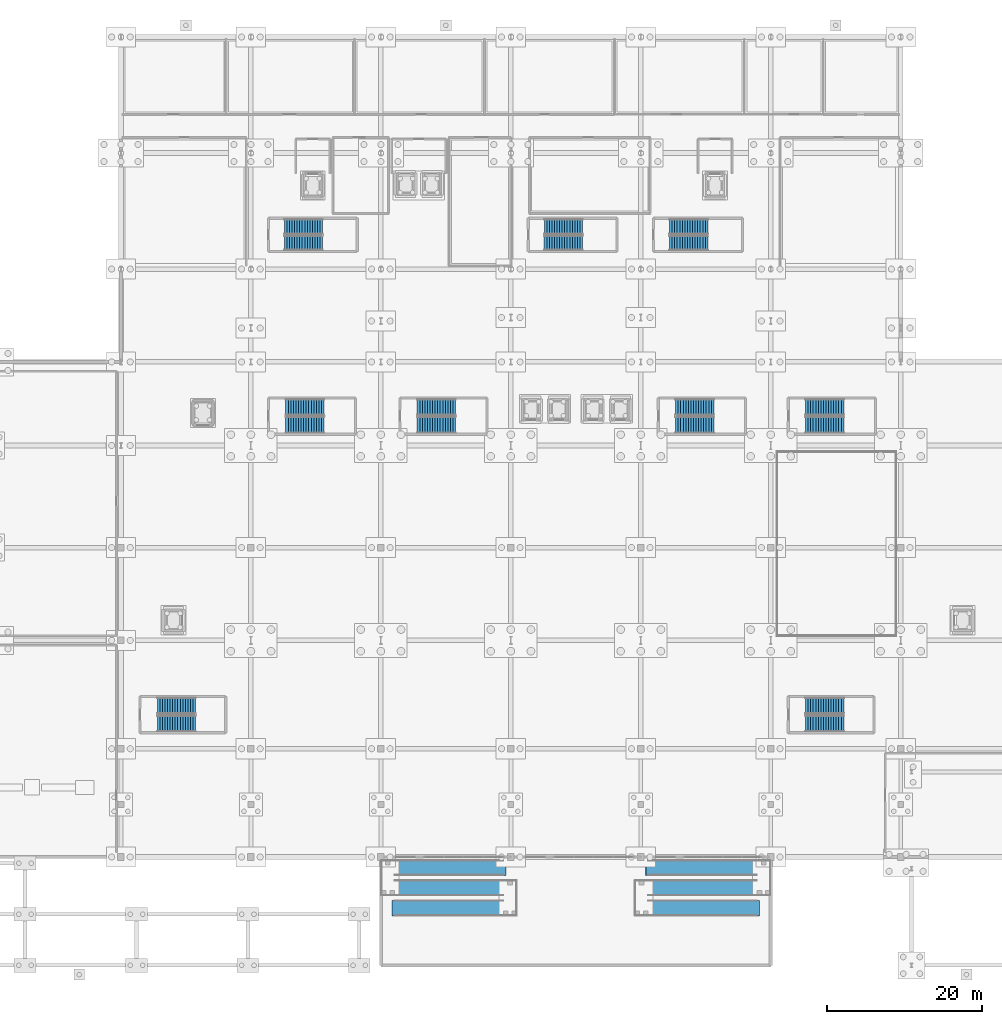
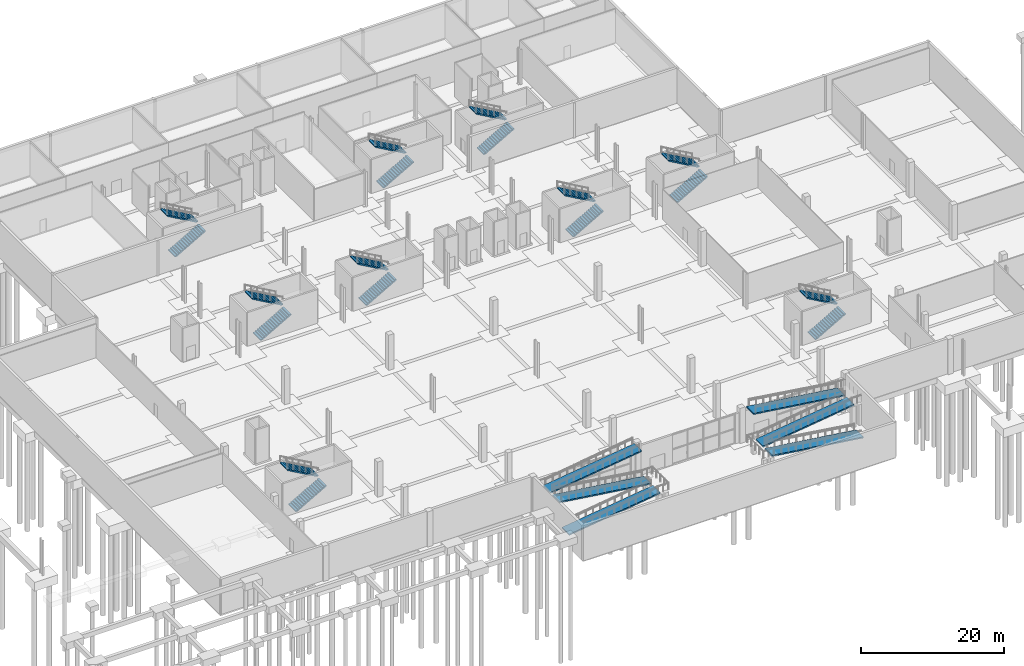
# One storey, part 34 of 46: 18 stair flights, 6 ramp flights, 15 elements without a shape of their own.
"""IFC4 building model written with IfcOpenShell, lengths in metres."""

from ifc_helpers import new_model, si_unit, direction, frame, origin, place, context, subcontext, project, spatial, polyline, outline, extrude, material, layer, layer_set, type_object, element, aggregate, save


model = new_model("IFC4")

# Units and contexts
model_context = context("Model", 3, precision=1e-05, world=origin(), true_north=direction((0.0, 1.0)))
body_context = subcontext(model_context, "Body", "Model", "MODEL_VIEW")
ifc_project = project(units=[si_unit("LENGTHUNIT", "METRE"), si_unit("AREAUNIT", "SQUARE_METRE"), si_unit("VOLUMEUNIT", "CUBIC_METRE"), si_unit("PLANEANGLEUNIT", "RADIAN"), si_unit("MASSUNIT", "GRAM", prefix="KILO")], contexts=[model_context])

# Site, building, storey
site_placement = place(None, origin())
site = spatial("IfcSite", under=ifc_project, at=site_placement, CompositionType="ELEMENT")
building_placement = place(site_placement, origin())
building = spatial("IfcBuilding", under=site, at=building_placement, Name="Kimbaza Rail Terminus", CompositionType="ELEMENT")
storey_placement = place(building_placement, frame((0.0, 0.0, -6.0)))
storey = spatial("IfcBuildingStorey", under=building, at=storey_placement, Name="B1", CompositionType="ELEMENT", Elevation=-6.0)

# Stair, stair flights
ifc_material_1 = material(Name="Concrete C40/50", Category="concrete")
stair_type_1 = type_object("IfcStairType", Name="ARC-STR-01", PredefinedType="HALF_TURN_STAIR", material=ifc_material_1)
stair_1_placement = place(storey_placement, origin())
stair_1 = element("IfcStair", 1, at=stair_1_placement, inside=storey, type_object=stair_type_1, Name="B1 Operations West Exit Stair", PredefinedType="HALF_TURN_STAIR")
ifc_material_2 = material(Name="Concrete C40/50", Category="concrete")
stair_flight_type_1 = type_object("IfcStairFlightType", Name="ARC-SFL-01", PredefinedType="STRAIGHT", material=ifc_material_2)
stair_flight_1_placement = place(storey_placement, frame((76.320068359375, 106.360107421875, 0.0), z_axis=(0.0, 0.0, 1.0), x_axis=(1.0, 0.0, 0.0)))
stair_flight_1 = element("IfcStairFlight", 2, at=stair_flight_1_placement, type_object=stair_flight_type_1, Name="ST-W1 flight 1", NumberOfRisers=16, NumberOfTreads=15, PredefinedType="STRAIGHT", RiserHeight=0.1875, TreadLength=0.33, context=body_context, shape_type="SweptSolid", body=[
    extrude(outline(polyline([(0.0, 0.0), (0.0, 0.1875), (0.330078125, 0.1875), (0.330078125, 0.375), (0.659912109375, 0.375), (0.659912109375, 0.5625), (0.989990234375, 0.5625), (0.989990234375, 0.75), (1.320068359375, 0.75), (1.320068359375, 0.9375), (1.64990234375, 0.9375), (1.64990234375, 1.125), (1.97998046875, 1.125), (1.97998046875, 1.3125), (2.31005859375, 1.3125), (2.31005859375, 1.5), (2.639892578125, 1.5), (2.639892578125, 1.6875), (2.969970703125, 1.6875), (2.969970703125, 1.875), (3.300048828125, 1.875), (3.300048828125, 2.0625), (3.6298828125, 2.0625), (3.6298828125, 2.25), (3.9599609375, 2.25), (3.9599609375, 2.4375), (4.2900390625, 2.4375), (4.2900390625, 2.625), (4.6201171875, 2.625), (4.6201171875, 2.8125), (4.949951171875, 2.8125), (4.949951171875, 3.0), (4.949951171875, 2.64013671875), (0.303466796875, 0.0), (0.0, 0.0)])), frame((0.0, 0.9599609375, 0.0), z_axis=(0.0, -1.0, 0.0), x_axis=(1.0, 0.0, 0.0)), (0.0, 0.0, 1.0), 1.919921875),
])
stair_flight_2_placement = place(storey_placement, frame((81.27001953125, 108.47998046875, 3.0), z_axis=(0.0, 0.0, 1.0), x_axis=(-1.0, 0.0, 0.0)))
stair_flight_2 = element("IfcStairFlight", 3, at=stair_flight_2_placement, type_object=stair_flight_type_1, Name="ST-W1 flight 2", NumberOfRisers=16, NumberOfTreads=15, PredefinedType="STRAIGHT", RiserHeight=0.1875, TreadLength=0.33, context=body_context, shape_type="SweptSolid", body=[
    extrude(outline(polyline([(0.0, 0.0), (0.0, 0.1875), (0.330078125, 0.1875), (0.330078125, 0.375), (0.659912109375, 0.375), (0.659912109375, 0.5625), (0.989990234375, 0.5625), (0.989990234375, 0.75), (1.320068359375, 0.75), (1.320068359375, 0.9375), (1.64990234375, 0.9375), (1.64990234375, 1.125), (1.97998046875, 1.125), (1.97998046875, 1.3125), (2.31005859375, 1.3125), (2.31005859375, 1.5), (2.639892578125, 1.5), (2.639892578125, 1.6875), (2.969970703125, 1.6875), (2.969970703125, 1.875), (3.300048828125, 1.875), (3.300048828125, 2.0625), (3.6298828125, 2.0625), (3.6298828125, 2.25), (3.9599609375, 2.25), (3.9599609375, 2.4375), (4.2900390625, 2.4375), (4.2900390625, 2.625), (4.6201171875, 2.625), (4.6201171875, 2.8125), (4.949951171875, 2.8125), (4.949951171875, 3.0), (4.949951171875, 2.64013671875), (0.303466796875, 0.0), (0.0, 0.0)])), frame((0.0, 0.9599609375, 0.0), z_axis=(0.0, -1.0, 0.0), x_axis=(1.0, 0.0, 0.0)), (0.0, 0.0, 1.0), 1.919921875),
])
aggregate(stair_1, [stair_flight_1, stair_flight_2])

stair_2_placement = place(storey_placement, origin())
stair_2 = element("IfcStair", 4, at=stair_2_placement, inside=storey, type_object=stair_type_1, Name="B1 Operations Central Exit Stair", PredefinedType="HALF_TURN_STAIR")
stair_flight_3_placement = place(storey_placement, frame((109.919921875, 106.360107421875, 0.0), z_axis=(0.0, 0.0, 1.0), x_axis=(1.0, 0.0, 0.0)))
stair_flight_3 = element("IfcStairFlight", 5, at=stair_flight_3_placement, type_object=stair_flight_type_1, Name="ST-M1 flight 1", NumberOfRisers=16, NumberOfTreads=15, PredefinedType="STRAIGHT", RiserHeight=0.1875, TreadLength=0.33, context=body_context, shape_type="SweptSolid", body=[
    extrude(outline(polyline([(0.0, 0.0), (0.0, 0.1875), (0.330078125, 0.1875), (0.330078125, 0.375), (0.659912109375, 0.375), (0.659912109375, 0.5625), (0.989990234375, 0.5625), (0.989990234375, 0.75), (1.320068359375, 0.75), (1.320068359375, 0.9375), (1.64990234375, 0.9375), (1.64990234375, 1.125), (1.97998046875, 1.125), (1.97998046875, 1.3125), (2.31005859375, 1.3125), (2.31005859375, 1.5), (2.639892578125, 1.5), (2.639892578125, 1.6875), (2.969970703125, 1.6875), (2.969970703125, 1.875), (3.300048828125, 1.875), (3.300048828125, 2.0625), (3.6298828125, 2.0625), (3.6298828125, 2.25), (3.9599609375, 2.25), (3.9599609375, 2.4375), (4.2900390625, 2.4375), (4.2900390625, 2.625), (4.6201171875, 2.625), (4.6201171875, 2.8125), (4.949951171875, 2.8125), (4.949951171875, 3.0), (4.949951171875, 2.64013671875), (0.303466796875, 0.0), (0.0, 0.0)])), frame((0.0, 0.9599609375, 0.0), z_axis=(0.0, -1.0, 0.0), x_axis=(1.0, 0.0, 0.0)), (0.0, 0.0, 1.0), 1.919921875),
])
stair_flight_4_placement = place(storey_placement, frame((114.8701171875, 108.47998046875, 3.0), z_axis=(0.0, 0.0, 1.0), x_axis=(-1.0, 0.0, 0.0)))
stair_flight_4 = element("IfcStairFlight", 6, at=stair_flight_4_placement, type_object=stair_flight_type_1, Name="ST-M1 flight 2", NumberOfRisers=16, NumberOfTreads=15, PredefinedType="STRAIGHT", RiserHeight=0.1875, TreadLength=0.33, context=body_context, shape_type="SweptSolid", body=[
    extrude(outline(polyline([(0.0, 0.0), (0.0, 0.1875), (0.330078125, 0.1875), (0.330078125, 0.375), (0.659912109375, 0.375), (0.659912109375, 0.5625), (0.989990234375, 0.5625), (0.989990234375, 0.75), (1.320068359375, 0.75), (1.320068359375, 0.9375), (1.64990234375, 0.9375), (1.64990234375, 1.125), (1.97998046875, 1.125), (1.97998046875, 1.3125), (2.31005859375, 1.3125), (2.31005859375, 1.5), (2.639892578125, 1.5), (2.639892578125, 1.6875), (2.969970703125, 1.6875), (2.969970703125, 1.875), (3.300048828125, 1.875), (3.300048828125, 2.0625), (3.6298828125, 2.0625), (3.6298828125, 2.25), (3.9599609375, 2.25), (3.9599609375, 2.4375), (4.2900390625, 2.4375), (4.2900390625, 2.625), (4.6201171875, 2.625), (4.6201171875, 2.8125), (4.949951171875, 2.8125), (4.949951171875, 3.0), (4.949951171875, 2.64013671875), (0.303466796875, 0.0), (0.0, 0.0)])), frame((0.0, 0.9599609375, 0.0), z_axis=(0.0, -1.0, 0.0), x_axis=(1.0, 0.0, 0.0)), (0.0, 0.0, 1.0), 1.919921875),
])
aggregate(stair_2, [stair_flight_3, stair_flight_4])

stair_3_placement = place(storey_placement, origin())
stair_3 = element("IfcStair", 7, at=stair_3_placement, inside=storey, type_object=stair_type_1, Name="B1 Operations East Exit Stair", PredefinedType="HALF_TURN_STAIR")
stair_flight_5_placement = place(storey_placement, frame((126.1201171875, 106.360107421875, 0.0), z_axis=(0.0, 0.0, 1.0), x_axis=(1.0, 0.0, 0.0)))
stair_flight_5 = element("IfcStairFlight", 8, at=stair_flight_5_placement, type_object=stair_flight_type_1, Name="ST-E1 flight 1", NumberOfRisers=16, NumberOfTreads=15, PredefinedType="STRAIGHT", RiserHeight=0.1875, TreadLength=0.33, context=body_context, shape_type="SweptSolid", body=[
    extrude(outline(polyline([(0.0, 0.0), (0.0, 0.1875), (0.330078125, 0.1875), (0.330078125, 0.375), (0.659912109375, 0.375), (0.659912109375, 0.5625), (0.989990234375, 0.5625), (0.989990234375, 0.75), (1.320068359375, 0.75), (1.320068359375, 0.9375), (1.64990234375, 0.9375), (1.64990234375, 1.125), (1.97998046875, 1.125), (1.97998046875, 1.3125), (2.31005859375, 1.3125), (2.31005859375, 1.5), (2.639892578125, 1.5), (2.639892578125, 1.6875), (2.969970703125, 1.6875), (2.969970703125, 1.875), (3.300048828125, 1.875), (3.300048828125, 2.0625), (3.6298828125, 2.0625), (3.6298828125, 2.25), (3.9599609375, 2.25), (3.9599609375, 2.4375), (4.2900390625, 2.4375), (4.2900390625, 2.625), (4.6201171875, 2.625), (4.6201171875, 2.8125), (4.949951171875, 2.8125), (4.949951171875, 3.0), (4.949951171875, 2.64013671875), (0.303466796875, 0.0), (0.0, 0.0)])), frame((0.0, 0.9599609375, 0.0), z_axis=(0.0, -1.0, 0.0), x_axis=(1.0, 0.0, 0.0)), (0.0, 0.0, 1.0), 1.919921875),
])
stair_flight_6_placement = place(storey_placement, frame((131.070068359375, 108.47998046875, 3.0), z_axis=(0.0, 0.0, 1.0), x_axis=(-1.0, 0.0, 0.0)))
stair_flight_6 = element("IfcStairFlight", 9, at=stair_flight_6_placement, type_object=stair_flight_type_1, Name="ST-E1 flight 2", NumberOfRisers=16, NumberOfTreads=15, PredefinedType="STRAIGHT", RiserHeight=0.1875, TreadLength=0.33, context=body_context, shape_type="SweptSolid", body=[
    extrude(outline(polyline([(0.0, 0.0), (0.0, 0.1875), (0.330078125, 0.1875), (0.330078125, 0.375), (0.659912109375, 0.375), (0.659912109375, 0.5625), (0.989990234375, 0.5625), (0.989990234375, 0.75), (1.320068359375, 0.75), (1.320068359375, 0.9375), (1.64990234375, 0.9375), (1.64990234375, 1.125), (1.97998046875, 1.125), (1.97998046875, 1.3125), (2.31005859375, 1.3125), (2.31005859375, 1.5), (2.639892578125, 1.5), (2.639892578125, 1.6875), (2.969970703125, 1.6875), (2.969970703125, 1.875), (3.300048828125, 1.875), (3.300048828125, 2.0625), (3.6298828125, 2.0625), (3.6298828125, 2.25), (3.9599609375, 2.25), (3.9599609375, 2.4375), (4.2900390625, 2.4375), (4.2900390625, 2.625), (4.6201171875, 2.625), (4.6201171875, 2.8125), (4.949951171875, 2.8125), (4.949951171875, 3.0), (4.949951171875, 2.64013671875), (0.303466796875, 0.0), (0.0, 0.0)])), frame((0.0, 0.9599609375, 0.0), z_axis=(0.0, -1.0, 0.0), x_axis=(1.0, 0.0, 0.0)), (0.0, 0.0, 1.0), 1.919921875),
])
aggregate(stair_3, [stair_flight_5, stair_flight_6])

ifc_material_3 = material(Name="Concrete C40/50", Category="concrete")
stair_type_2 = type_object("IfcStairType", Name="ARC-STR-05", PredefinedType="HALF_TURN_STAIR", material=ifc_material_3)
stair_4_placement = place(storey_placement, origin())
stair_4 = element("IfcStair", 10, at=stair_4_placement, inside=storey, type_object=stair_type_2, Name="B1 Platform West Concourse Stair", PredefinedType="HALF_TURN_STAIR")
ifc_material_4 = material(Name="Concrete C40/50", Category="concrete")
stair_flight_type_2 = type_object("IfcStairFlightType", Name="ARC-SFL-05", PredefinedType="STRAIGHT", material=ifc_material_4)
stair_flight_7_placement = place(storey_placement, frame((76.5, 82.85009765625, 0.0), z_axis=(0.0, 0.0, 1.0), x_axis=(1.0, 0.0, 0.0)))
stair_flight_7 = element("IfcStairFlight", 11, at=stair_flight_7_placement, type_object=stair_flight_type_2, Name="ST-C1 flight 1", NumberOfRisers=16, NumberOfTreads=15, PredefinedType="STRAIGHT", RiserHeight=0.1875, TreadLength=0.33, context=body_context, shape_type="SweptSolid", body=[
    extrude(outline(polyline([(0.0, 0.0), (0.0, 0.1875), (0.330078125, 0.1875), (0.330078125, 0.375), (0.659912109375, 0.375), (0.659912109375, 0.5625), (0.989990234375, 0.5625), (0.989990234375, 0.75), (1.320068359375, 0.75), (1.320068359375, 0.9375), (1.64990234375, 0.9375), (1.64990234375, 1.125), (1.97998046875, 1.125), (1.97998046875, 1.3125), (2.31005859375, 1.3125), (2.31005859375, 1.5), (2.639892578125, 1.5), (2.639892578125, 1.6875), (2.969970703125, 1.6875), (2.969970703125, 1.875), (3.300048828125, 1.875), (3.300048828125, 2.0625), (3.6298828125, 2.0625), (3.6298828125, 2.25), (3.9599609375, 2.25), (3.9599609375, 2.4375), (4.2900390625, 2.4375), (4.2900390625, 2.625), (4.6201171875, 2.625), (4.6201171875, 2.8125), (4.949951171875, 2.8125), (4.949951171875, 3.0), (4.949951171875, 2.64013671875), (0.303466796875, 0.0), (0.0, 0.0)])), frame((0.0, 1.050048828125, 0.0), z_axis=(0.0, -1.0, 0.0), x_axis=(1.0, 0.0, 0.0)), (0.0, 0.0, 1.0), 2.10009765625),
])
stair_flight_8_placement = place(storey_placement, frame((81.449951171875, 85.14990234375, 3.0), z_axis=(0.0, 0.0, 1.0), x_axis=(-1.0, 0.0, 0.0)))
stair_flight_8 = element("IfcStairFlight", 12, at=stair_flight_8_placement, type_object=stair_flight_type_2, Name="ST-C1 flight 2", NumberOfRisers=16, NumberOfTreads=15, PredefinedType="STRAIGHT", RiserHeight=0.1875, TreadLength=0.33, context=body_context, shape_type="SweptSolid", body=[
    extrude(outline(polyline([(0.0, 0.0), (0.0, 0.1875), (0.330078125, 0.1875), (0.330078125, 0.375), (0.659912109375, 0.375), (0.659912109375, 0.5625), (0.989990234375, 0.5625), (0.989990234375, 0.75), (1.320068359375, 0.75), (1.320068359375, 0.9375), (1.64990234375, 0.9375), (1.64990234375, 1.125), (1.97998046875, 1.125), (1.97998046875, 1.3125), (2.31005859375, 1.3125), (2.31005859375, 1.5), (2.639892578125, 1.5), (2.639892578125, 1.6875), (2.969970703125, 1.6875), (2.969970703125, 1.875), (3.300048828125, 1.875), (3.300048828125, 2.0625), (3.6298828125, 2.0625), (3.6298828125, 2.25), (3.9599609375, 2.25), (3.9599609375, 2.4375), (4.2900390625, 2.4375), (4.2900390625, 2.625), (4.6201171875, 2.625), (4.6201171875, 2.8125), (4.949951171875, 2.8125), (4.949951171875, 3.0), (4.949951171875, 2.64013671875), (0.303466796875, 0.0), (0.0, 0.0)])), frame((0.0, 1.050048828125, 0.0), z_axis=(0.0, -1.0, 0.0), x_axis=(1.0, 0.0, 0.0)), (0.0, 0.0, 1.0), 2.10009765625),
])
aggregate(stair_4, [stair_flight_7, stair_flight_8])

stair_5_placement = place(storey_placement, origin())
stair_5 = element("IfcStair", 13, at=stair_5_placement, inside=storey, type_object=stair_type_2, Name="B1 Platform East Concourse Stair", PredefinedType="HALF_TURN_STAIR")
stair_flight_9_placement = place(storey_placement, frame((143.699951171875, 82.85009765625, 0.0), z_axis=(0.0, 0.0, 1.0), x_axis=(1.0, 0.0, 0.0)))
stair_flight_9 = element("IfcStairFlight", 14, at=stair_flight_9_placement, type_object=stair_flight_type_2, Name="ST-C2 flight 1", NumberOfRisers=16, NumberOfTreads=15, PredefinedType="STRAIGHT", RiserHeight=0.1875, TreadLength=0.33, context=body_context, shape_type="SweptSolid", body=[
    extrude(outline(polyline([(0.0, 0.0), (0.0, 0.1875), (0.330078125, 0.1875), (0.330078125, 0.375), (0.659912109375, 0.375), (0.659912109375, 0.5625), (0.989990234375, 0.5625), (0.989990234375, 0.75), (1.320068359375, 0.75), (1.320068359375, 0.9375), (1.64990234375, 0.9375), (1.64990234375, 1.125), (1.97998046875, 1.125), (1.97998046875, 1.3125), (2.31005859375, 1.3125), (2.31005859375, 1.5), (2.639892578125, 1.5), (2.639892578125, 1.6875), (2.969970703125, 1.6875), (2.969970703125, 1.875), (3.300048828125, 1.875), (3.300048828125, 2.0625), (3.6298828125, 2.0625), (3.6298828125, 2.25), (3.9599609375, 2.25), (3.9599609375, 2.4375), (4.2900390625, 2.4375), (4.2900390625, 2.625), (4.6201171875, 2.625), (4.6201171875, 2.8125), (4.949951171875, 2.8125), (4.949951171875, 3.0), (4.949951171875, 2.64013671875), (0.303466796875, 0.0), (0.0, 0.0)])), frame((0.0, 1.050048828125, 0.0), z_axis=(0.0, -1.0, 0.0), x_axis=(1.0, 0.0, 0.0)), (0.0, 0.0, 1.0), 2.10009765625),
])
stair_flight_10_placement = place(storey_placement, frame((148.64990234375, 85.14990234375, 3.0), z_axis=(0.0, 0.0, 1.0), x_axis=(-1.0, 0.0, 0.0)))
stair_flight_10 = element("IfcStairFlight", 15, at=stair_flight_10_placement, type_object=stair_flight_type_2, Name="ST-C2 flight 2", NumberOfRisers=16, NumberOfTreads=15, PredefinedType="STRAIGHT", RiserHeight=0.1875, TreadLength=0.33, context=body_context, shape_type="SweptSolid", body=[
    extrude(outline(polyline([(0.0, 0.0), (0.0, 0.1875), (0.330078125, 0.1875), (0.330078125, 0.375), (0.659912109375, 0.375), (0.659912109375, 0.5625), (0.989990234375, 0.5625), (0.989990234375, 0.75), (1.320068359375, 0.75), (1.320068359375, 0.9375), (1.64990234375, 0.9375), (1.64990234375, 1.125), (1.97998046875, 1.125), (1.97998046875, 1.3125), (2.31005859375, 1.3125), (2.31005859375, 1.5), (2.639892578125, 1.5), (2.639892578125, 1.6875), (2.969970703125, 1.6875), (2.969970703125, 1.875), (3.300048828125, 1.875), (3.300048828125, 2.0625), (3.6298828125, 2.0625), (3.6298828125, 2.25), (3.9599609375, 2.25), (3.9599609375, 2.4375), (4.2900390625, 2.4375), (4.2900390625, 2.625), (4.6201171875, 2.625), (4.6201171875, 2.8125), (4.949951171875, 2.8125), (4.949951171875, 3.0), (4.949951171875, 2.64013671875), (0.303466796875, 0.0), (0.0, 0.0)])), frame((0.0, 1.050048828125, 0.0), z_axis=(0.0, -1.0, 0.0), x_axis=(1.0, 0.0, 0.0)), (0.0, 0.0, 1.0), 2.10009765625),
])
aggregate(stair_5, [stair_flight_9, stair_flight_10])

stair_6_placement = place(storey_placement, origin())
stair_6 = element("IfcStair", 16, at=stair_6_placement, inside=storey, type_object=stair_type_2, Name="B1 Footbridge West Platform Stair", PredefinedType="HALF_TURN_STAIR")
stair_flight_11_placement = place(storey_placement, frame((93.5, 82.85009765625, 0.0), z_axis=(0.0, 0.0, 1.0), x_axis=(1.0, 0.0, 0.0)))
stair_flight_11 = element("IfcStairFlight", 17, at=stair_flight_11_placement, type_object=stair_flight_type_2, Name="ST-C3 flight 1", NumberOfRisers=16, NumberOfTreads=15, PredefinedType="STRAIGHT", RiserHeight=0.1875, TreadLength=0.33, context=body_context, shape_type="SweptSolid", body=[
    extrude(outline(polyline([(0.0, 0.0), (0.0, 0.1875), (0.330078125, 0.1875), (0.330078125, 0.375), (0.659912109375, 0.375), (0.659912109375, 0.5625), (0.989990234375, 0.5625), (0.989990234375, 0.75), (1.320068359375, 0.75), (1.320068359375, 0.9375), (1.64990234375, 0.9375), (1.64990234375, 1.125), (1.97998046875, 1.125), (1.97998046875, 1.3125), (2.31005859375, 1.3125), (2.31005859375, 1.5), (2.639892578125, 1.5), (2.639892578125, 1.6875), (2.969970703125, 1.6875), (2.969970703125, 1.875), (3.300048828125, 1.875), (3.300048828125, 2.0625), (3.6298828125, 2.0625), (3.6298828125, 2.25), (3.9599609375, 2.25), (3.9599609375, 2.4375), (4.2900390625, 2.4375), (4.2900390625, 2.625), (4.6201171875, 2.625), (4.6201171875, 2.8125), (4.949951171875, 2.8125), (4.949951171875, 3.0), (4.949951171875, 2.64013671875), (0.303466796875, 0.0), (0.0, 0.0)])), frame((0.0, 1.050048828125, 0.0), z_axis=(0.0, -1.0, 0.0), x_axis=(1.0, 0.0, 0.0)), (0.0, 0.0, 1.0), 2.10009765625),
])
stair_flight_12_placement = place(storey_placement, frame((98.449951171875, 85.14990234375, 3.0), z_axis=(0.0, 0.0, 1.0), x_axis=(-1.0, 0.0, 0.0)))
stair_flight_12 = element("IfcStairFlight", 18, at=stair_flight_12_placement, type_object=stair_flight_type_2, Name="ST-C3 flight 2", NumberOfRisers=16, NumberOfTreads=15, PredefinedType="STRAIGHT", RiserHeight=0.1875, TreadLength=0.33, context=body_context, shape_type="SweptSolid", body=[
    extrude(outline(polyline([(0.0, 0.0), (0.0, 0.1875), (0.330078125, 0.1875), (0.330078125, 0.375), (0.659912109375, 0.375), (0.659912109375, 0.5625), (0.989990234375, 0.5625), (0.989990234375, 0.75), (1.320068359375, 0.75), (1.320068359375, 0.9375), (1.64990234375, 0.9375), (1.64990234375, 1.125), (1.97998046875, 1.125), (1.97998046875, 1.3125), (2.31005859375, 1.3125), (2.31005859375, 1.5), (2.639892578125, 1.5), (2.639892578125, 1.6875), (2.969970703125, 1.6875), (2.969970703125, 1.875), (3.300048828125, 1.875), (3.300048828125, 2.0625), (3.6298828125, 2.0625), (3.6298828125, 2.25), (3.9599609375, 2.25), (3.9599609375, 2.4375), (4.2900390625, 2.4375), (4.2900390625, 2.625), (4.6201171875, 2.625), (4.6201171875, 2.8125), (4.949951171875, 2.8125), (4.949951171875, 3.0), (4.949951171875, 2.64013671875), (0.303466796875, 0.0), (0.0, 0.0)])), frame((0.0, 1.050048828125, 0.0), z_axis=(0.0, -1.0, 0.0), x_axis=(1.0, 0.0, 0.0)), (0.0, 0.0, 1.0), 2.10009765625),
])
aggregate(stair_6, [stair_flight_11, stair_flight_12])

stair_7_placement = place(storey_placement, origin())
stair_7 = element("IfcStair", 19, at=stair_7_placement, inside=storey, type_object=stair_type_2, Name="B1 Footbridge East Platform Stair", PredefinedType="HALF_TURN_STAIR")
stair_flight_13_placement = place(storey_placement, frame((126.89990234375, 82.85009765625, 0.0), z_axis=(0.0, 0.0, 1.0), x_axis=(1.0, 0.0, 0.0)))
stair_flight_13 = element("IfcStairFlight", 20, at=stair_flight_13_placement, type_object=stair_flight_type_2, Name="ST-C4 flight 1", NumberOfRisers=16, NumberOfTreads=15, PredefinedType="STRAIGHT", RiserHeight=0.1875, TreadLength=0.33, context=body_context, shape_type="SweptSolid", body=[
    extrude(outline(polyline([(0.0, 0.0), (0.0, 0.1875), (0.330078125, 0.1875), (0.330078125, 0.375), (0.659912109375, 0.375), (0.659912109375, 0.5625), (0.989990234375, 0.5625), (0.989990234375, 0.75), (1.320068359375, 0.75), (1.320068359375, 0.9375), (1.64990234375, 0.9375), (1.64990234375, 1.125), (1.97998046875, 1.125), (1.97998046875, 1.3125), (2.31005859375, 1.3125), (2.31005859375, 1.5), (2.639892578125, 1.5), (2.639892578125, 1.6875), (2.969970703125, 1.6875), (2.969970703125, 1.875), (3.300048828125, 1.875), (3.300048828125, 2.0625), (3.6298828125, 2.0625), (3.6298828125, 2.25), (3.9599609375, 2.25), (3.9599609375, 2.4375), (4.2900390625, 2.4375), (4.2900390625, 2.625), (4.6201171875, 2.625), (4.6201171875, 2.8125), (4.949951171875, 2.8125), (4.949951171875, 3.0), (4.949951171875, 2.64013671875), (0.303466796875, 0.0), (0.0, 0.0)])), frame((0.0, 1.050048828125, 0.0), z_axis=(0.0, -1.0, 0.0), x_axis=(1.0, 0.0, 0.0)), (0.0, 0.0, 1.0), 2.10009765625),
])
stair_flight_14_placement = place(storey_placement, frame((131.85009765625, 85.14990234375, 3.0), z_axis=(0.0, 0.0, 1.0), x_axis=(-1.0, 0.0, 0.0)))
stair_flight_14 = element("IfcStairFlight", 21, at=stair_flight_14_placement, type_object=stair_flight_type_2, Name="ST-C4 flight 2", NumberOfRisers=16, NumberOfTreads=15, PredefinedType="STRAIGHT", RiserHeight=0.1875, TreadLength=0.33, context=body_context, shape_type="SweptSolid", body=[
    extrude(outline(polyline([(0.0, 0.0), (0.0, 0.1875), (0.330078125, 0.1875), (0.330078125, 0.375), (0.659912109375, 0.375), (0.659912109375, 0.5625), (0.989990234375, 0.5625), (0.989990234375, 0.75), (1.320068359375, 0.75), (1.320068359375, 0.9375), (1.64990234375, 0.9375), (1.64990234375, 1.125), (1.97998046875, 1.125), (1.97998046875, 1.3125), (2.31005859375, 1.3125), (2.31005859375, 1.5), (2.639892578125, 1.5), (2.639892578125, 1.6875), (2.969970703125, 1.6875), (2.969970703125, 1.875), (3.300048828125, 1.875), (3.300048828125, 2.0625), (3.6298828125, 2.0625), (3.6298828125, 2.25), (3.9599609375, 2.25), (3.9599609375, 2.4375), (4.2900390625, 2.4375), (4.2900390625, 2.625), (4.6201171875, 2.625), (4.6201171875, 2.8125), (4.949951171875, 2.8125), (4.949951171875, 3.0), (4.949951171875, 2.64013671875), (0.303466796875, 0.0), (0.0, 0.0)])), frame((0.0, 1.050048828125, 0.0), z_axis=(0.0, -1.0, 0.0), x_axis=(1.0, 0.0, 0.0)), (0.0, 0.0, 1.0), 2.10009765625),
])
aggregate(stair_7, [stair_flight_13, stair_flight_14])

stair_8_placement = place(storey_placement, origin())
stair_8 = element("IfcStair", 22, at=stair_8_placement, inside=storey, type_object=stair_type_2, Name="B1 South Metro Concourse West Stair", PredefinedType="HALF_TURN_STAIR")
stair_flight_15_placement = place(storey_placement, frame((59.89990234375, 44.25, 0.0), z_axis=(0.0, 0.0, 1.0), x_axis=(1.0, 0.0, 0.0)))
stair_flight_15 = element("IfcStairFlight", 23, at=stair_flight_15_placement, type_object=stair_flight_type_2, Name="ST-S1 flight 1", NumberOfRisers=16, NumberOfTreads=15, PredefinedType="STRAIGHT", RiserHeight=0.1875, TreadLength=0.33, context=body_context, shape_type="SweptSolid", body=[
    extrude(outline(polyline([(0.0, 0.0), (0.0, 0.1875), (0.330078125, 0.1875), (0.330078125, 0.375), (0.659912109375, 0.375), (0.659912109375, 0.5625), (0.989990234375, 0.5625), (0.989990234375, 0.75), (1.320068359375, 0.75), (1.320068359375, 0.9375), (1.64990234375, 0.9375), (1.64990234375, 1.125), (1.97998046875, 1.125), (1.97998046875, 1.3125), (2.31005859375, 1.3125), (2.31005859375, 1.5), (2.639892578125, 1.5), (2.639892578125, 1.6875), (2.969970703125, 1.6875), (2.969970703125, 1.875), (3.300048828125, 1.875), (3.300048828125, 2.0625), (3.6298828125, 2.0625), (3.6298828125, 2.25), (3.9599609375, 2.25), (3.9599609375, 2.4375), (4.2900390625, 2.4375), (4.2900390625, 2.625), (4.6201171875, 2.625), (4.6201171875, 2.8125), (4.949951171875, 2.8125), (4.949951171875, 3.0), (4.949951171875, 2.64013671875), (0.303466796875, 0.0), (0.0, 0.0)])), frame((0.0, 1.050048828125, 0.0), z_axis=(0.0, -1.0, 0.0), x_axis=(1.0, 0.0, 0.0)), (0.0, 0.0, 1.0), 2.10009765625),
])
stair_flight_16_placement = place(storey_placement, frame((64.85009765625, 46.550048828125, 3.0), z_axis=(0.0, 0.0, 1.0), x_axis=(-1.0, 0.0, 0.0)))
stair_flight_16 = element("IfcStairFlight", 24, at=stair_flight_16_placement, type_object=stair_flight_type_2, Name="ST-S1 flight 2", NumberOfRisers=16, NumberOfTreads=15, PredefinedType="STRAIGHT", RiserHeight=0.1875, TreadLength=0.33, context=body_context, shape_type="SweptSolid", body=[
    extrude(outline(polyline([(0.0, 0.0), (0.0, 0.1875), (0.330078125, 0.1875), (0.330078125, 0.375), (0.659912109375, 0.375), (0.659912109375, 0.5625), (0.989990234375, 0.5625), (0.989990234375, 0.75), (1.320068359375, 0.75), (1.320068359375, 0.9375), (1.64990234375, 0.9375), (1.64990234375, 1.125), (1.97998046875, 1.125), (1.97998046875, 1.3125), (2.31005859375, 1.3125), (2.31005859375, 1.5), (2.639892578125, 1.5), (2.639892578125, 1.6875), (2.969970703125, 1.6875), (2.969970703125, 1.875), (3.300048828125, 1.875), (3.300048828125, 2.0625), (3.6298828125, 2.0625), (3.6298828125, 2.25), (3.9599609375, 2.25), (3.9599609375, 2.4375), (4.2900390625, 2.4375), (4.2900390625, 2.625), (4.6201171875, 2.625), (4.6201171875, 2.8125), (4.949951171875, 2.8125), (4.949951171875, 3.0), (4.949951171875, 2.64013671875), (0.303466796875, 0.0), (0.0, 0.0)])), frame((0.0, 1.050048828125, 0.0), z_axis=(0.0, -1.0, 0.0), x_axis=(1.0, 0.0, 0.0)), (0.0, 0.0, 1.0), 2.10009765625),
])
aggregate(stair_8, [stair_flight_15, stair_flight_16])

stair_9_placement = place(storey_placement, origin())
stair_9 = element("IfcStair", 25, at=stair_9_placement, inside=storey, type_object=stair_type_2, Name="B1 South Metro Concourse East Stair", PredefinedType="HALF_TURN_STAIR")
stair_flight_17_placement = place(storey_placement, frame((143.699951171875, 44.25, 0.0), z_axis=(0.0, 0.0, 1.0), x_axis=(1.0, 0.0, 0.0)))
stair_flight_17 = element("IfcStairFlight", 26, at=stair_flight_17_placement, type_object=stair_flight_type_2, Name="ST-S2 flight 1", NumberOfRisers=16, NumberOfTreads=15, PredefinedType="STRAIGHT", RiserHeight=0.1875, TreadLength=0.33, context=body_context, shape_type="SweptSolid", body=[
    extrude(outline(polyline([(0.0, 0.0), (0.0, 0.1875), (0.330078125, 0.1875), (0.330078125, 0.375), (0.659912109375, 0.375), (0.659912109375, 0.5625), (0.989990234375, 0.5625), (0.989990234375, 0.75), (1.320068359375, 0.75), (1.320068359375, 0.9375), (1.64990234375, 0.9375), (1.64990234375, 1.125), (1.97998046875, 1.125), (1.97998046875, 1.3125), (2.31005859375, 1.3125), (2.31005859375, 1.5), (2.639892578125, 1.5), (2.639892578125, 1.6875), (2.969970703125, 1.6875), (2.969970703125, 1.875), (3.300048828125, 1.875), (3.300048828125, 2.0625), (3.6298828125, 2.0625), (3.6298828125, 2.25), (3.9599609375, 2.25), (3.9599609375, 2.4375), (4.2900390625, 2.4375), (4.2900390625, 2.625), (4.6201171875, 2.625), (4.6201171875, 2.8125), (4.949951171875, 2.8125), (4.949951171875, 3.0), (4.949951171875, 2.64013671875), (0.303466796875, 0.0), (0.0, 0.0)])), frame((0.0, 1.050048828125, 0.0), z_axis=(0.0, -1.0, 0.0), x_axis=(1.0, 0.0, 0.0)), (0.0, 0.0, 1.0), 2.10009765625),
])
stair_flight_18_placement = place(storey_placement, frame((148.64990234375, 46.550048828125, 3.0), z_axis=(0.0, 0.0, 1.0), x_axis=(-1.0, 0.0, 0.0)))
stair_flight_18 = element("IfcStairFlight", 27, at=stair_flight_18_placement, type_object=stair_flight_type_2, Name="ST-S2 flight 2", NumberOfRisers=16, NumberOfTreads=15, PredefinedType="STRAIGHT", RiserHeight=0.1875, TreadLength=0.33, context=body_context, shape_type="SweptSolid", body=[
    extrude(outline(polyline([(0.0, 0.0), (0.0, 0.1875), (0.330078125, 0.1875), (0.330078125, 0.375), (0.659912109375, 0.375), (0.659912109375, 0.5625), (0.989990234375, 0.5625), (0.989990234375, 0.75), (1.320068359375, 0.75), (1.320068359375, 0.9375), (1.64990234375, 0.9375), (1.64990234375, 1.125), (1.97998046875, 1.125), (1.97998046875, 1.3125), (2.31005859375, 1.3125), (2.31005859375, 1.5), (2.639892578125, 1.5), (2.639892578125, 1.6875), (2.969970703125, 1.6875), (2.969970703125, 1.875), (3.300048828125, 1.875), (3.300048828125, 2.0625), (3.6298828125, 2.0625), (3.6298828125, 2.25), (3.9599609375, 2.25), (3.9599609375, 2.4375), (4.2900390625, 2.4375), (4.2900390625, 2.625), (4.6201171875, 2.625), (4.6201171875, 2.8125), (4.949951171875, 2.8125), (4.949951171875, 3.0), (4.949951171875, 2.64013671875), (0.303466796875, 0.0), (0.0, 0.0)])), frame((0.0, 1.050048828125, 0.0), z_axis=(0.0, -1.0, 0.0), x_axis=(1.0, 0.0, 0.0)), (0.0, 0.0, 1.0), 2.10009765625),
])
aggregate(stair_9, [stair_flight_17, stair_flight_18])

# Ramp, ramp flight
ifc_material_5 = material(Name="Concrete C40/50", Category="concrete")
ramp_type = type_object("IfcRampType", Name="ARC-RMP-ACC", PredefinedType="STRAIGHT_RUN_RAMP", material=ifc_material_5)
ramp_1_placement = place(storey_placement, origin())
ramp_1 = element("IfcRamp", 28, at=ramp_1_placement, inside=storey, type_object=ramp_type, Name="Metro Plaza West Upper Ramp", PredefinedType="STRAIGHT_RUN_RAMP")
ifc_material_6 = material(Name="Concrete C40/50", Category="concrete")
ifc_layer = layer(ifc_material_6, 0.219970703125)
ifc_layer_set = layer_set([ifc_layer], Name="Concrete C40/50")
ramp_flight_type = type_object("IfcRampFlightType", Name="ARC-RMF-200", PredefinedType="STRAIGHT", material=ifc_layer_set)
ramp_flight_1_placement = place(storey_placement, frame((90.25, 24.60009765625, 4.0), z_axis=(-0.13481283971, 0.0, 0.990871080539), x_axis=(0.990871080539, 0.0, 0.13481283971)))
ramp_flight_1 = element("IfcRampFlight", 29, at=ramp_flight_1_placement, type_object=ramp_flight_type, Name="Metro Plaza West Upper Ramp Flight", PredefinedType="STRAIGHT", context=body_context, shape_type="SweptSolid", body=[
    extrude(outline(polyline([(0.0, 0.0), (14.835382180972259, 0.0), (14.835382180972259, 2.0), (0.0, 2.0), (0.0, 0.0)])), origin(), (0.0, 0.0, -1.0), 0.219970703125),
])
aggregate(ramp_1, [ramp_flight_1])

ramp_2_placement = place(storey_placement, origin())
ramp_2 = element("IfcRamp", 30, at=ramp_2_placement, inside=storey, type_object=ramp_type, Name="Metro Plaza West Mid Ramp", PredefinedType="STRAIGHT_RUN_RAMP")
ramp_flight_2_placement = place(storey_placement, frame((90.25, 22.0, 4.0), z_axis=(0.13481283971, 0.0, 0.990871080539), x_axis=(0.990871080539, 0.0, -0.13481283971)))
ramp_flight_2 = element("IfcRampFlight", 31, at=ramp_flight_2_placement, type_object=ramp_flight_type, Name="Metro Plaza West Mid Ramp Flight", PredefinedType="STRAIGHT", context=body_context, shape_type="SweptSolid", body=[
    extrude(outline(polyline([(0.0, 0.0), (14.835382180972259, 0.0), (14.835382180972259, 2.0), (0.0, 2.0), (0.0, 0.0)])), origin(), (0.0, 0.0, -1.0), 0.219970703125),
])
aggregate(ramp_2, [ramp_flight_2])

ramp_3_placement = place(storey_placement, origin())
ramp_3 = element("IfcRamp", 32, at=ramp_3_placement, inside=storey, type_object=ramp_type, Name="Metro Plaza West Lower Ramp", PredefinedType="STRAIGHT_RUN_RAMP")
ramp_flight_3_placement = place(storey_placement, frame((90.25, 19.39990234375, 0.0), z_axis=(-0.13481283971, 0.0, 0.990871080539), x_axis=(0.990871080539, 0.0, 0.13481283971)))
ramp_flight_3 = element("IfcRampFlight", 33, at=ramp_flight_3_placement, type_object=ramp_flight_type, Name="Metro Plaza West Lower Ramp Flight", PredefinedType="STRAIGHT", context=body_context, shape_type="SweptSolid", body=[
    extrude(outline(polyline([(0.0, 0.0), (14.835382180972259, 0.0), (14.835382180972259, 2.0), (0.0, 2.0), (0.0, 0.0)])), origin(), (0.0, 0.0, -1.0), 0.219970703125),
])
aggregate(ramp_3, [ramp_flight_3])

ramp_4_placement = place(storey_placement, origin())
ramp_4 = element("IfcRamp", 34, at=ramp_4_placement, inside=storey, type_object=ramp_type, Name="Metro Plaza East Upper Ramp", PredefinedType="STRAIGHT_RUN_RAMP")
ramp_flight_4_placement = place(storey_placement, frame((123.050048828125, 24.60009765625, 6.0), z_axis=(0.13481283971, 0.0, 0.990871080539), x_axis=(0.990871080539, 0.0, -0.13481283971)))
ramp_flight_4 = element("IfcRampFlight", 35, at=ramp_flight_4_placement, type_object=ramp_flight_type, Name="Metro Plaza East Upper Ramp Flight", PredefinedType="STRAIGHT", context=body_context, shape_type="SweptSolid", body=[
    extrude(outline(polyline([(0.0, 0.0), (14.835382180972259, 0.0), (14.835382180972259, 2.0), (0.0, 2.0), (0.0, 0.0)])), origin(), (0.0, 0.0, -1.0), 0.219970703125),
])
aggregate(ramp_4, [ramp_flight_4])

ramp_5_placement = place(storey_placement, origin())
ramp_5 = element("IfcRamp", 36, at=ramp_5_placement, inside=storey, type_object=ramp_type, Name="Metro Plaza East Mid Ramp", PredefinedType="STRAIGHT_RUN_RAMP")
ramp_flight_5_placement = place(storey_placement, frame((123.050048828125, 22.0, 2.0), z_axis=(-0.13481283971, 0.0, 0.990871080539), x_axis=(0.990871080539, 0.0, 0.13481283971)))
ramp_flight_5 = element("IfcRampFlight", 37, at=ramp_flight_5_placement, type_object=ramp_flight_type, Name="Metro Plaza East Mid Ramp Flight", PredefinedType="STRAIGHT", context=body_context, shape_type="SweptSolid", body=[
    extrude(outline(polyline([(0.0, 0.0), (14.835382180972259, 0.0), (14.835382180972259, 2.0), (0.0, 2.0), (0.0, 0.0)])), origin(), (0.0, 0.0, -1.0), 0.219970703125),
])
aggregate(ramp_5, [ramp_flight_5])

ramp_6_placement = place(storey_placement, origin())
ramp_6 = element("IfcRamp", 38, at=ramp_6_placement, inside=storey, type_object=ramp_type, Name="Metro Plaza East Lower Ramp", PredefinedType="STRAIGHT_RUN_RAMP")
ramp_flight_6_placement = place(storey_placement, frame((123.050048828125, 19.39990234375, 2.0), z_axis=(0.13481283971, 0.0, 0.990871080539), x_axis=(0.990871080539, 0.0, -0.13481283971)))
ramp_flight_6 = element("IfcRampFlight", 39, at=ramp_flight_6_placement, type_object=ramp_flight_type, Name="Metro Plaza East Lower Ramp Flight", PredefinedType="STRAIGHT", context=body_context, shape_type="SweptSolid", body=[
    extrude(outline(polyline([(0.0, 0.0), (14.835382180972259, 0.0), (14.835382180972259, 2.0), (0.0, 2.0), (0.0, 0.0)])), origin(), (0.0, 0.0, -1.0), 0.219970703125),
])
aggregate(ramp_6, [ramp_flight_6])

save(model, "model.ifc")
